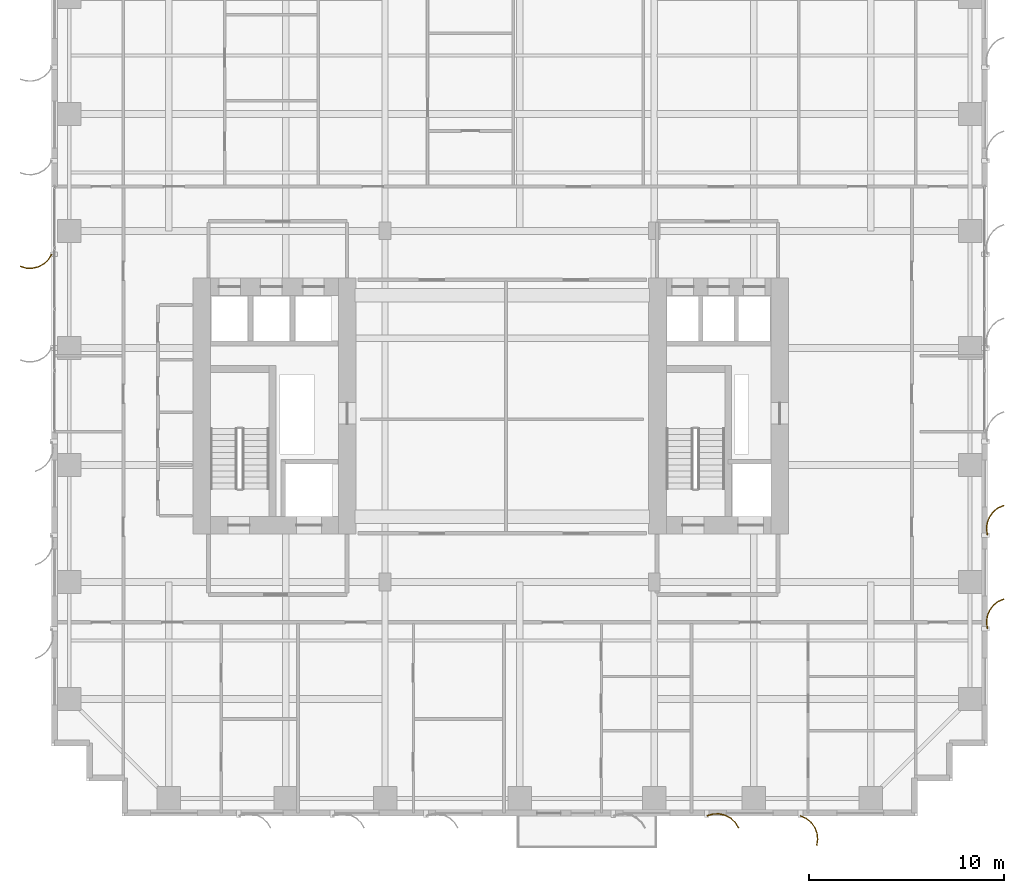
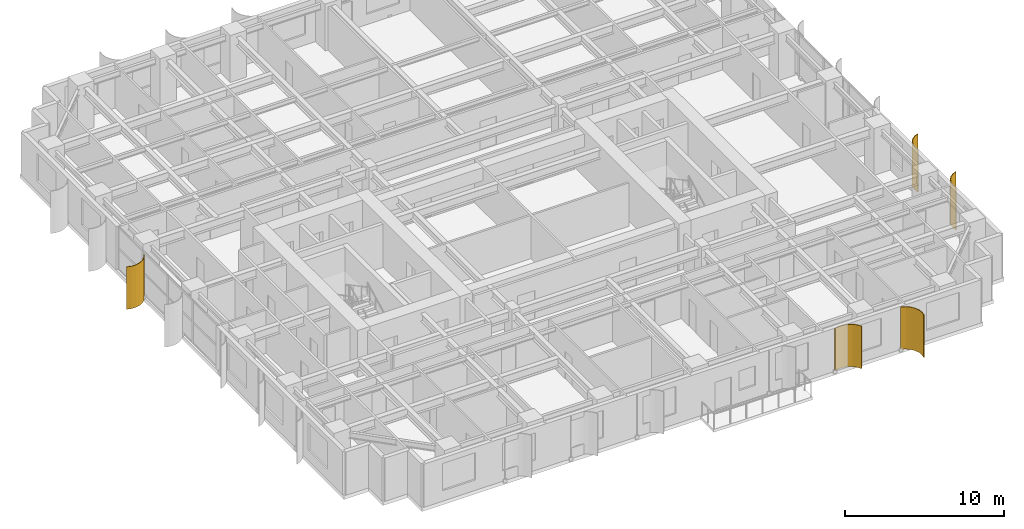
# One storey, part 15 of 17: 5 shading devices.
"""IFC4 building model written with IfcOpenShell, lengths in metres."""

from ifc_helpers import new_model, si_unit, direction, frame, origin, place, context, subcontext, project, spatial, polyline, outline, extrude, source, transform, mapped, material, layer, layer_set, type_object, element, save


model = new_model("IFC4")

# Units and contexts
model_context = context("Model", 3, precision=1e-05, world=origin(), true_north=direction((0.0, 1.0)))
body_context = subcontext(model_context, "Body", "Model", "MODEL_VIEW")
ifc_project = project(units=[si_unit("LENGTHUNIT", "METRE"), si_unit("AREAUNIT", "SQUARE_METRE"), si_unit("VOLUMEUNIT", "CUBIC_METRE"), si_unit("PLANEANGLEUNIT", "RADIAN"), si_unit("MASSUNIT", "GRAM", prefix="KILO")], contexts=[model_context])

# Site, building, storey
site_placement = place(None, origin())
site = spatial("IfcSite", under=ifc_project, at=site_placement, CompositionType="ELEMENT")
building_placement = place(site_placement, origin())
building = spatial("IfcBuilding", under=site, at=building_placement, Name="Khoralis Quay Care Tower", CompositionType="ELEMENT")
storey_placement = place(building_placement, frame((0.0, 0.0, 58.5)))
storey = spatial("IfcBuildingStorey", under=building, at=storey_placement, Name="L15", CompositionType="ELEMENT", Elevation=58.5)

# Shading devices
ifc_material = material(Name="Brushed pale anodised aluminium", Category="aluminium")
ifc_layer = layer(ifc_material, 0.044921875)
ifc_layer_set = layer_set([ifc_layer], Name="Brushed pale anodised aluminium")
shading_device_type = type_object("IfcShadingDeviceType", Name="SHD-FIN-1250", PredefinedType="USERDEFINED", material=ifc_layer_set)
shared_shape_1 = source(origin(), body_context, "Body", "SweptSolid", [
    extrude(outline(polyline([(0.0, 0.0), (0.130126953125, 0.29931640625), (0.333251953125, 0.5546875), (0.595458984375, 0.748779296875), (0.899169921875, 0.868408203125), (1.223388671875, 0.9052734375), (1.546142578125, 0.85693359375), (1.53369140625, 0.813720703125), (1.22265625, 0.8603515625), (0.91015625, 0.82470703125), (0.617431640625, 0.70947265625), (0.364501953125, 0.522216796875), (0.168701171875, 0.276123046875), (0.043212890625, -0.012451171875), (0.0, 0.0)])), origin(), (0.0, 0.0, 1.0), 3.260009765625),
])
shading_device_1_placement = place(storey_placement, frame((38.39990234375, 0.030029296875, 0.02001953125), z_axis=(0.0, 0.0, 1.0), x_axis=(0.0, -1.0, 0.0)))
element("IfcShadingDevice", 1, at=shading_device_1_placement, inside=storey, type_object=shading_device_type, Name="L15 Curved Solar Fin P1E0-07", ObjectType="FIN", PredefinedType="USERDEFINED", context=body_context, shape_type="MappedRepresentation", body=[
    mapped(shared_shape_1, transform((0.0, 0.0, 0.0), scale=1.0)),
])
shared_shape_2 = source(origin(), body_context, "Body", "SweptSolid", [
    extrude(outline(polyline([(0.0, 0.0), (0.17041015625, 0.2783203125), (0.4072265625, 0.5029296875), (0.694091796875, 0.658447265625), (1.01123046875, 0.734619140625), (1.33740234375, 0.72607421875), (1.650390625, 0.633544921875), (1.632080078125, 0.59228515625), (1.330322265625, 0.681640625), (1.015869140625, 0.68994140625), (0.710205078125, 0.616455078125), (0.43359375, 0.466552734375), (0.20556640625, 0.25), (0.041015625, -0.018310546875), (0.0, 0.0)])), origin(), (0.0, 0.0, 1.0), 3.260009765625),
])
shading_device_2_placement = place(storey_placement, frame((0.030029296875, 28.800048828125, 0.02001953125), z_axis=(0.0, 0.0, 1.0), x_axis=(-1.0, 0.0, 0.0)))
element("IfcShadingDevice", 2, at=shading_device_2_placement, inside=storey, type_object=shading_device_type, Name="L15 Curved Solar Fin P1E15-03", ObjectType="FIN", PredefinedType="USERDEFINED", context=body_context, shape_type="MappedRepresentation", body=[
    mapped(shared_shape_2, transform((0.0, 0.0, 0.0), scale=1.0)),
])
shared_shape_3 = source(origin(), body_context, "Body", "SweptSolid", [
    extrude(outline(polyline([(0.0, 0.0), (-0.04833984375, 0.32275390625), (-0.01123046875, 0.64697265625), (0.1083984375, 0.950439453125), (0.302490234375, 1.212890625), (0.557861328125, 1.416015625), (0.85693359375, 1.546142578125), (0.869384765625, 1.5029296875), (0.5810546875, 1.37744140625), (0.334716796875, 1.181640625), (0.147705078125, 0.9287109375), (0.032470703125, 0.635986328125), (-0.003173828125, 0.323486328125), (0.043212890625, 0.012451171875), (0.0, 0.0)])), origin(), (0.0, 0.0, 1.0), 3.260009765625),
])
for number, where, z_axis, x_axis, name in (
    (3, (47.969970703125, 9.60009765625, 0.02001953125), (0.0, 0.0, 1.0), (1.0, 0.0, 0.0), "L15 Curved Solar Fin P1E5-01"),
    (4, (47.969970703125, 14.39990234375, 0.02001953125), (0.0, 0.0, 1.0), (1.0, 0.0, 0.0), "L15 Curved Solar Fin P1E5-02"),
):
    element("IfcShadingDevice", number, at=place(storey_placement, frame(where, z_axis=z_axis, x_axis=x_axis)), inside=storey, type_object=shading_device_type, Name=name, ObjectType="FIN", PredefinedType="USERDEFINED", context=body_context, shape_type="MappedRepresentation", body=[
        mapped(shared_shape_3, transform((0.0, 0.0, 0.0), scale=1.0)),
    ])
shared_shape_4 = source(origin(), body_context, "Body", "SweptSolid", [
    extrude(outline(polyline([(0.0, 0.0), (-0.0927734375, 0.31298828125), (-0.101318359375, 0.63916015625), (-0.025146484375, 0.956298828125), (0.130615234375, 1.2431640625), (0.355224609375, 1.479736328125), (0.633544921875, 1.650390625), (0.65185546875, 1.609130859375), (0.383544921875, 1.44482421875), (0.1669921875, 1.216796875), (0.01708984375, 0.940185546875), (-0.056396484375, 0.63427734375), (-0.04833984375, 0.31982421875), (0.041015625, 0.018310546875), (0.0, 0.0)])), origin(), (0.0, 0.0, 1.0), 3.260009765625),
])
shading_device_3_placement = place(storey_placement, frame((33.60009765625, 0.030029296875, 0.02001953125), z_axis=(0.0, 0.0, 1.0), x_axis=(0.0, -1.0, 0.0)))
element("IfcShadingDevice", 5, at=shading_device_3_placement, inside=storey, type_object=shading_device_type, Name="L15 Curved Solar Fin P1E0-06", ObjectType="FIN", PredefinedType="USERDEFINED", context=body_context, shape_type="MappedRepresentation", body=[
    mapped(shared_shape_4, transform((0.0, 0.0, 0.0), scale=1.0)),
])

save(model, "model.ifc")
